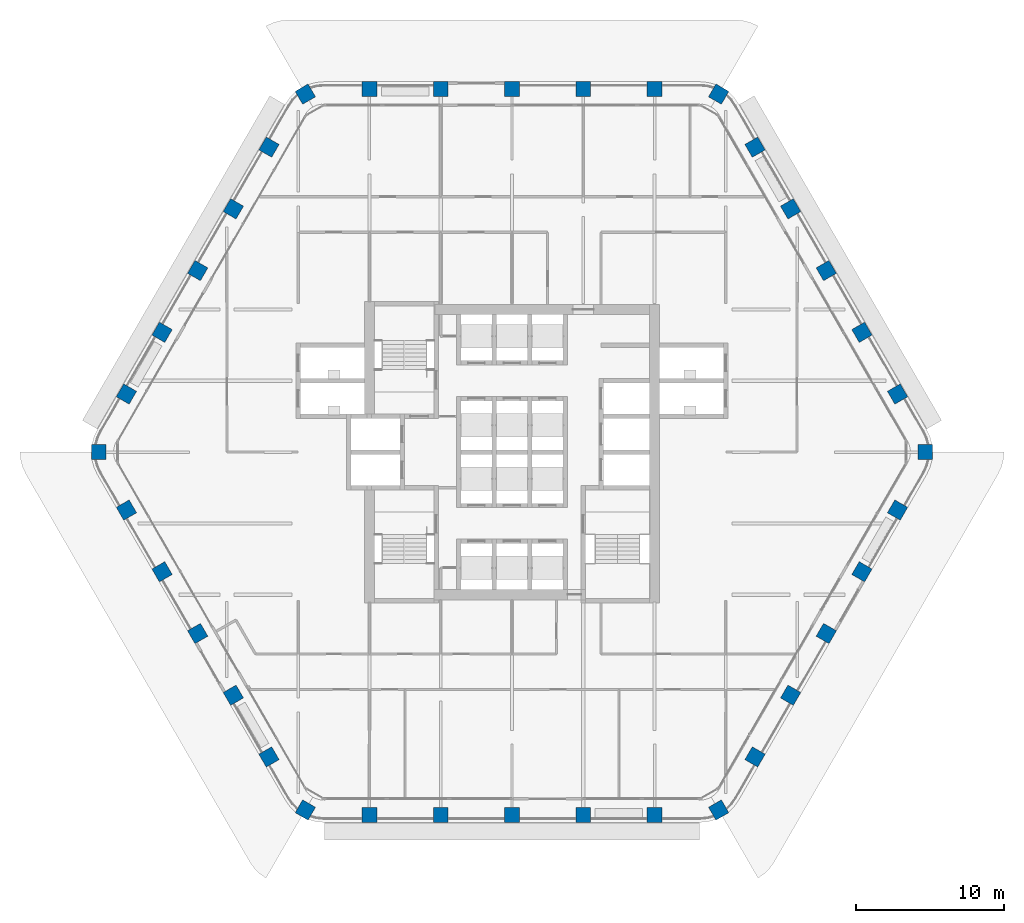
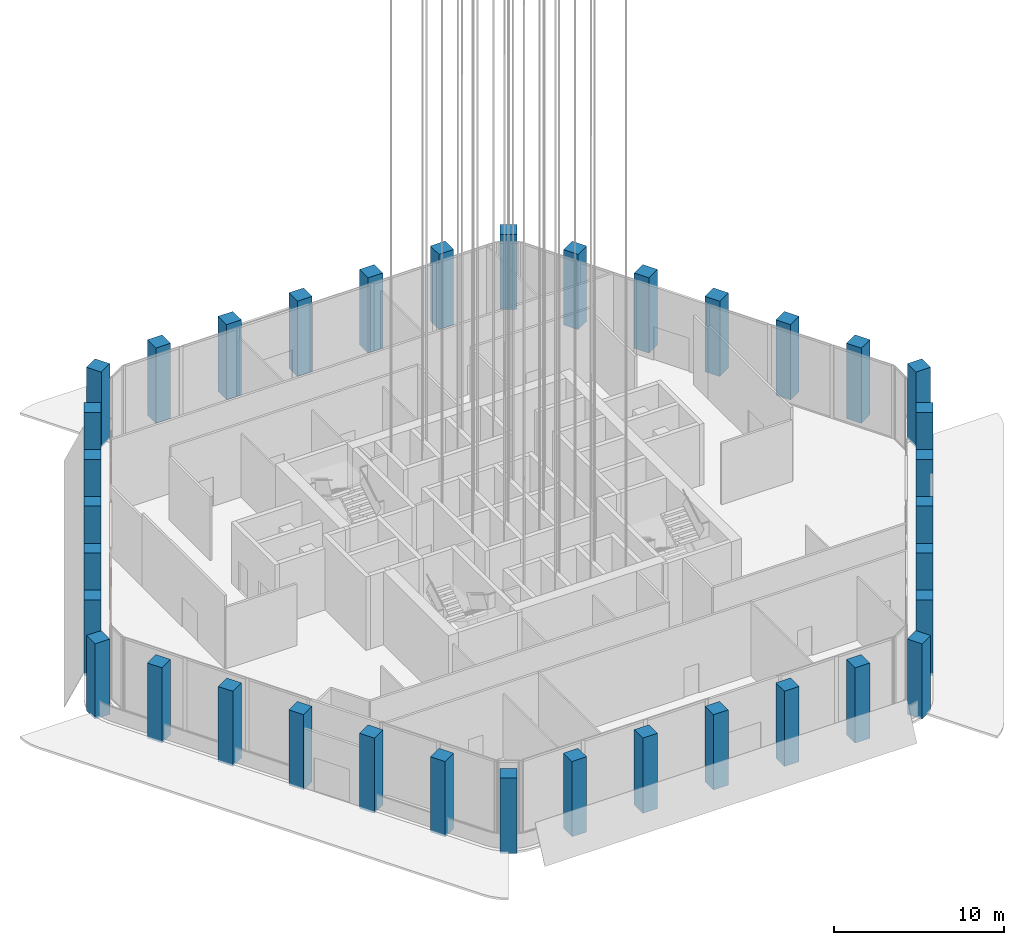
# One storey, part 1 of 42: 36 columns.
"""IFC4 building model written with IfcOpenShell, lengths in metres."""

import ifcopenshell
import ifcopenshell.guid

model = None  # the IFC model being written
_history = None  # IfcOwnerHistory: only IFC2X3 demands one
_inside = {}  # id of a spatial element -> (the spatial element, [elements in it])
_under = {}  # id of a project, library or spatial element -> (it, [spatial elements below it])
_declared = {}  # id of a project -> (the project, [libraries it declares])
_typed = {}  # id of a type object -> (the type object, [elements of that type])
_made_of = {}  # id of a material, layer set ... -> (it, [elements and type objects made of it])


def new_model(schema):
    """Start an empty IFC model of exactly this schema.

    Asked for "IFC4X3", IfcOpenShell would pick the latest addendum, in which some entities
    have other attributes; the version numbers below select the first issue.
    IFC2X3 requires an IfcOwnerHistory on every rooted entity: one is made here for all.
    """
    global model, _history
    if schema == "IFC4X3":
        model = ifcopenshell.file(schema_version=(4, 3, 0, 0))
    else:
        model = ifcopenshell.file(schema=schema)
    _inside.clear()
    _under.clear()
    _declared.clear()
    _typed.clear()
    _made_of.clear()
    _history = None
    if model.schema == "IFC2X3":
        org = make("IfcOrganization", Name="unknown")
        user = make(
            "IfcPersonAndOrganization",
            ThePerson=make("IfcPerson", FamilyName="unknown"),
            TheOrganization=org,
        )
        app = make(
            "IfcApplication",
            ApplicationDeveloper=org,
            Version="unknown",
            ApplicationFullName="unknown",
            ApplicationIdentifier="unknown",
        )
        _history = make(
            "IfcOwnerHistory",
            OwningUser=user,
            OwningApplication=app,
            ChangeAction="ADDED",
            CreationDate=0,
        )
    return model


def make(cls, **values):
    """One entity of the class cls with the attributes given. An attribute that is None is left unset."""
    return model.create_entity(
        cls, **{name: value for name, value in values.items() if value is not None}
    )


def rooted(cls, **values):
    """An entity with a GlobalId (a new one), such as an element, a storey or a relation."""
    return make(cls, GlobalId=ifcopenshell.guid.new(), OwnerHistory=_history, **values)


def si_unit(unit_type, name, prefix=None):
    """IfcSIUnit, for example si_unit("LENGTHUNIT", "METRE", prefix="MILLI")."""
    return make("IfcSIUnit", UnitType=unit_type, Prefix=prefix, Name=name)


def assignment(units):
    """IfcUnitAssignment: the units of a project."""
    return None if units is None else make("IfcUnitAssignment", Units=units)


def point(xyz):
    """IfcCartesianPoint."""
    return None if xyz is None else make("IfcCartesianPoint", Coordinates=xyz)


def direction(xyz):
    """IfcDirection."""
    return None if xyz is None else make("IfcDirection", DirectionRatios=xyz)


def frame(location, z_axis=None, x_axis=None):
    """IfcAxis2Placement3D, a coordinate frame: its origin and axes. An axis left out is left unset."""
    return make(
        "IfcAxis2Placement3D",
        Location=point(location),
        Axis=direction(z_axis),
        RefDirection=direction(x_axis),
    )


def frame_2d(location, x_axis=None):
    """IfcAxis2Placement2D, a coordinate frame in the plane: its origin and x axis."""
    return make(
        "IfcAxis2Placement2D", Location=point(location), RefDirection=direction(x_axis)
    )


def origin():
    """The frame at (0, 0, 0) with its axes left unset."""
    return frame((0.0, 0.0, 0.0))


def origin_2d():
    """The frame at (0, 0) in the plane with its x axis left unset."""
    return frame_2d((0.0, 0.0))


def place(relative_to, where):
    """IfcLocalPlacement: puts the frame where relative to a parent placement (None: the world)."""
    return make(
        "IfcLocalPlacement", PlacementRelTo=relative_to, RelativePlacement=where
    )


def context(
    kind, dimensions, precision=None, world=None, true_north=None, identifier=None
):
    """IfcGeometricRepresentationContext, for example the 3D "Model" context."""
    return make(
        "IfcGeometricRepresentationContext",
        ContextIdentifier=identifier,
        ContextType=kind,
        CoordinateSpaceDimension=dimensions,
        Precision=precision,
        WorldCoordinateSystem=world,
        TrueNorth=true_north,
    )


def subcontext(parent, identifier, kind, view, scale=None):
    """IfcGeometricRepresentationSubContext, for example "Body" below "Model"."""
    return make(
        "IfcGeometricRepresentationSubContext",
        ContextIdentifier=identifier,
        ContextType=kind,
        ParentContext=parent,
        TargetScale=scale,
        TargetView=view,
    )


def project(units=None, contexts=None):
    """IfcProject with its units and contexts."""
    return rooted(
        "IfcProject",
        Name="project",
        RepresentationContexts=contexts,
        UnitsInContext=assignment(units),
    )


def spatial(cls, under=None, at=None, **own):
    """A site, building, storey or space (cls), placed at a placement, below another one or the project."""
    s = rooted(cls, ObjectPlacement=at, **own)
    if under is not None:
        _under.setdefault(under.id(), (under, []))[1].append(s)
    return s


def profile(cls, at=None, kind="AREA", **sizes):
    """A parametric profile (cls). Its sizes go by their IFC names, for example OverallWidth=200.0."""
    return make(cls, ProfileType=kind, Position=at, **sizes)


def rectangle(**sizes):
    """IfcRectangleProfileDef."""
    return profile("IfcRectangleProfileDef", **sizes)


def extrude(swept, where, along, depth):
    """IfcExtrudedAreaSolid: the profile swept, set in the frame where, extruded along a direction by depth."""
    return make(
        "IfcExtrudedAreaSolid",
        SweptArea=swept,
        Position=where,
        ExtrudedDirection=direction(along),
        Depth=depth,
    )


def shape(context_of_items, identifier, shape_type, items):
    """IfcShapeRepresentation: the items that make up one representation, for example the "Body"."""
    return make(
        "IfcShapeRepresentation",
        ContextOfItems=context_of_items,
        RepresentationIdentifier=identifier,
        RepresentationType=shape_type,
        Items=items,
    )


def material(Name=None, Category=None):
    """IfcMaterial."""
    return make("IfcMaterial", Name=Name, Category=Category)


def material_profile(
    of_material, cross_section, Name=None, Category=None, Priority=None
):
    """IfcMaterialProfile: a cross section and its material."""
    return make(
        "IfcMaterialProfile",
        Name=Name,
        Material=of_material,
        Profile=cross_section,
        Priority=Priority,
        Category=Category,
    )


def profile_set(profiles, Name=None, composite=None):
    """IfcMaterialProfileSet."""
    return make(
        "IfcMaterialProfileSet",
        Name=Name,
        MaterialProfiles=profiles,
        CompositeProfile=composite,
    )


def made_of(thing, what):
    """Note that an element or type object is made of a material, layer set ...; save() writes the relation."""
    if what is not None:
        _made_of.setdefault(what.id(), (what, []))[1].append(thing)
    return thing


def type_object(cls, material=None, **own):
    """A type object (cls), such as IfcWallType, which elements share."""
    return made_of(rooted(cls, **own), material)


def element(
    cls,
    number,
    at=None,
    inside=None,
    cuts=None,
    type_object=None,
    material=None,
    context=None,
    identifier="Body",
    shape_type=None,
    held_by="IfcProductDefinitionShape",
    body=None,
    shapes=None,
    **own,
):
    """One element of the class cls, such as IfcWall. Its Tag is "e" and its number.

    at: its placement. inside: the storey or other place that contains it. cuts: it is an
    opening in that element (IfcRelVoidsElement). A single representation is given by context,
    identifier, shape_type and body (its items); several are given by shapes. held_by: the class
    of the entity that holds the representations. save() writes the other relations.
    """
    e = rooted(cls, Tag="e%d" % number, ObjectPlacement=at, **own)
    if body is not None:
        shapes = [shape(context, identifier, shape_type, body)]
    if shapes is not None:
        e.Representation = make(held_by, Representations=shapes)
    if inside is not None:
        _inside.setdefault(inside.id(), (inside, []))[1].append(e)
    if cuts is not None:
        rooted(
            "IfcRelVoidsElement", RelatingBuildingElement=cuts, RelatedOpeningElement=e
        )
    if type_object is not None:
        _typed.setdefault(type_object.id(), (type_object, []))[1].append(e)
    return made_of(e, material)


def aggregate(whole, parts):
    """IfcRelAggregates: a whole, such as a stair, and the parts it consists of."""
    return rooted("IfcRelAggregates", RelatingObject=whole, RelatedObjects=parts)


def save(model, path):
    """Write the relations noted so far, then the file.

    IfcRelAggregates (storeys below a building ...), IfcRelContainedInSpatialStructure (elements
    in a storey), IfcRelDefinesByType, IfcRelAssociatesMaterial and IfcRelDeclares: one each for
    every whole, place, type object, material and project.
    """
    for whole, parts in _under.values():
        aggregate(whole, parts)
    for where, things in _inside.values():
        rooted(
            "IfcRelContainedInSpatialStructure",
            RelatedElements=things,
            RelatingStructure=where,
        )
    for kind, things in _typed.values():
        rooted("IfcRelDefinesByType", RelatedObjects=things, RelatingType=kind)
    for what, things in _made_of.values():
        rooted("IfcRelAssociatesMaterial", RelatedObjects=things, RelatingMaterial=what)
    for by, libraries in _declared.values():
        rooted("IfcRelDeclares", RelatingContext=by, RelatedDefinitions=libraries)
    model.write(path)


model = new_model("IFC4")

# Units and contexts
model_context = context("Model", 3, precision=1e-05, world=origin(), true_north=direction((0.0, 1.0)))
body_context = subcontext(model_context, "Body", "Model", "MODEL_VIEW")
ifc_project = project(units=[si_unit("LENGTHUNIT", "METRE"), si_unit("AREAUNIT", "SQUARE_METRE"), si_unit("VOLUMEUNIT", "CUBIC_METRE"), si_unit("PLANEANGLEUNIT", "RADIAN"), si_unit("MASSUNIT", "GRAM", prefix="KILO")], contexts=[model_context])

# Site, building, storey
site_placement = place(None, origin())
site = spatial("IfcSite", under=ifc_project, at=site_placement, CompositionType="ELEMENT")
building_placement = place(site_placement, origin())
building = spatial("IfcBuilding", under=site, at=building_placement, Name="Kolab Exchange Tower", CompositionType="ELEMENT")
storey_placement = place(building_placement, frame((0.0, 0.0, 133.39990234375)))
storey = spatial("IfcBuildingStorey", under=building, at=storey_placement, Name="L26", CompositionType="ELEMENT", Elevation=133.39990234375)

# Columns
ifc_material = material(Name="Concrete C60/75", Category="concrete")
ifc_material_profile = material_profile(ifc_material, rectangle(XDim=1.0, YDim=1.0, at=origin_2d()), Name="RC1000")
ifc_profile_set = profile_set([ifc_material_profile], Name="Concrete C60/75")
column_type = type_object("IfcColumnType", Name="PERIMETER COLUMN 1000 SQ C60/75", PredefinedType="COLUMN", material=ifc_profile_set)
for number, where, z_axis, x_axis, name in (
    (1, (-13.91796875, 24.106689453125, -0.14990234375), (0.0, 0.0, 1.0), (0.866025403784, 0.5, 0.0), "col/L26/F1-01"),
    (2, (-9.60009765625, 24.441650390625, -0.14990234375), (0.0, 0.0, 1.0), (1.0, 0.0, 0.0), "col/L26/F1-02"),
    (3, (-4.800048828125, 24.441650390625, -0.14990234375), (0.0, 0.0, 1.0), (1.0, 0.0, 0.0), "col/L26/F1-03"),
    (4, (0.0, 24.441650390625, -0.14990234375), (0.0, 0.0, 1.0), (1.0, 0.0, 0.0), "col/L26/F1-04"),
    (5, (4.800048828125, 24.441650390625, -0.14990234375), (0.0, 0.0, 1.0), (1.0, 0.0, 0.0), "col/L26/F1-05"),
    (6, (9.60009765625, 24.441650390625, -0.14990234375), (0.0, 0.0, 1.0), (1.0, 0.0, 0.0), "col/L26/F1-06"),
    (7, (13.91796875, 24.106689453125, -0.14990234375), (0.0, 0.0, 1.0), (0.5, 0.866025403784, 0.0), "col/L26/F2-01"),
    (8, (16.366943359375, 20.53466796875, -0.14990234375), (0.0, 0.0, 1.0), (0.866025403784, 0.5, 0.0), "col/L26/F2-02"),
    (9, (18.76708984375, 16.377685546875, -0.14990234375), (0.0, 0.0, 1.0), (0.866025403784, 0.5, 0.0), "col/L26/F2-03"),
    (10, (21.1669921875, 12.220703125, -0.14990234375), (0.0, 0.0, 1.0), (0.866025403784, 0.5, 0.0), "col/L26/F2-04"),
    (11, (23.56689453125, 8.06396484375, -0.14990234375), (0.0, 0.0, 1.0), (0.866025403784, 0.5, 0.0), "col/L26/F2-05"),
    (12, (25.967041015625, 3.906982421875, -0.14990234375), (0.0, 0.0, 1.0), (0.866025403784, 0.5, 0.0), "col/L26/F2-06"),
    (13, (27.8359375, 0.0, -0.14990234375), (0.0, 0.0, 1.0), (1.0, 0.0, 0.0), "col/L26/F3-01"),
    (14, (25.967041015625, -3.906982421875, -0.14990234375), (0.0, 0.0, 1.0), (0.5, 0.866025403784, 0.0), "col/L26/F3-02"),
    (15, (23.56689453125, -8.06396484375, -0.14990234375), (0.0, 0.0, 1.0), (0.5, 0.866025403784, 0.0), "col/L26/F3-03"),
    (16, (21.1669921875, -12.220703125, -0.14990234375), (0.0, 0.0, 1.0), (0.5, 0.866025403784, 0.0), "col/L26/F3-04"),
    (17, (18.76708984375, -16.377685546875, -0.14990234375), (0.0, 0.0, 1.0), (0.5, 0.866025403784, 0.0), "col/L26/F3-05"),
    (18, (16.366943359375, -20.53466796875, -0.14990234375), (0.0, 0.0, 1.0), (0.5, 0.866025403784, 0.0), "col/L26/F3-06"),
    (19, (13.91796875, -24.106689453125, -0.14990234375), (0.0, 0.0, 1.0), (0.866025403784, 0.5, 0.0), "col/L26/F4-01"),
    (20, (9.60009765625, -24.441650390625, -0.14990234375), (0.0, 0.0, 1.0), (1.0, 0.0, 0.0), "col/L26/F4-02"),
    (21, (4.800048828125, -24.441650390625, -0.14990234375), (0.0, 0.0, 1.0), (1.0, 0.0, 0.0), "col/L26/F4-03"),
    (22, (0.0, -24.441650390625, -0.14990234375), (0.0, 0.0, 1.0), (1.0, 0.0, 0.0), "col/L26/F4-04"),
    (23, (-4.800048828125, -24.441650390625, -0.14990234375), (0.0, 0.0, 1.0), (1.0, 0.0, 0.0), "col/L26/F4-05"),
    (24, (-9.60009765625, -24.441650390625, -0.14990234375), (0.0, 0.0, 1.0), (1.0, 0.0, 0.0), "col/L26/F4-06"),
    (25, (-13.91796875, -24.106689453125, -0.14990234375), (0.0, 0.0, 1.0), (0.5, 0.866025403784, 0.0), "col/L26/F5-01"),
    (26, (-16.366943359375, -20.53466796875, -0.14990234375), (0.0, 0.0, 1.0), (0.866025403784, 0.5, 0.0), "col/L26/F5-02"),
    (27, (-18.76708984375, -16.377685546875, -0.14990234375), (0.0, 0.0, 1.0), (0.866025403784, 0.5, 0.0), "col/L26/F5-03"),
    (28, (-21.1669921875, -12.220703125, -0.14990234375), (0.0, 0.0, 1.0), (0.866025403784, 0.5, 0.0), "col/L26/F5-04"),
    (29, (-23.56689453125, -8.06396484375, -0.14990234375), (0.0, 0.0, 1.0), (0.866025403784, 0.5, 0.0), "col/L26/F5-05"),
    (30, (-25.967041015625, -3.906982421875, -0.14990234375), (0.0, 0.0, 1.0), (0.866025403784, 0.5, 0.0), "col/L26/F5-06"),
    (31, (-27.8359375, 0.0, -0.14990234375), (0.0, 0.0, 1.0), (1.0, 0.0, 0.0), "col/L26/F6-01"),
    (32, (-25.967041015625, 3.906982421875, -0.14990234375), (0.0, 0.0, 1.0), (0.5, 0.866025403784, 0.0), "col/L26/F6-02"),
    (33, (-23.56689453125, 8.06396484375, -0.14990234375), (0.0, 0.0, 1.0), (0.5, 0.866025403784, 0.0), "col/L26/F6-03"),
    (34, (-21.1669921875, 12.220703125, -0.14990234375), (0.0, 0.0, 1.0), (0.5, 0.866025403784, 0.0), "col/L26/F6-04"),
    (35, (-18.76708984375, 16.377685546875, -0.14990234375), (0.0, 0.0, 1.0), (0.5, 0.866025403784, 0.0), "col/L26/F6-05"),
    (36, (-16.366943359375, 20.53466796875, -0.14990234375), (0.0, 0.0, 1.0), (0.5, 0.866025403784, 0.0), "col/L26/F6-06"),
):
    element("IfcColumn", number, at=place(storey_placement, frame(where, z_axis=z_axis, x_axis=x_axis)), inside=storey, type_object=column_type, Name=name, PredefinedType="COLUMN", context=body_context, shape_type="SweptSolid", body=[
        extrude(rectangle(XDim=1.0, YDim=1.0, at=origin_2d()), origin(), (0.0, 0.0, 1.0), 5.39990234375),
    ])

save(model, "model.ifc")
